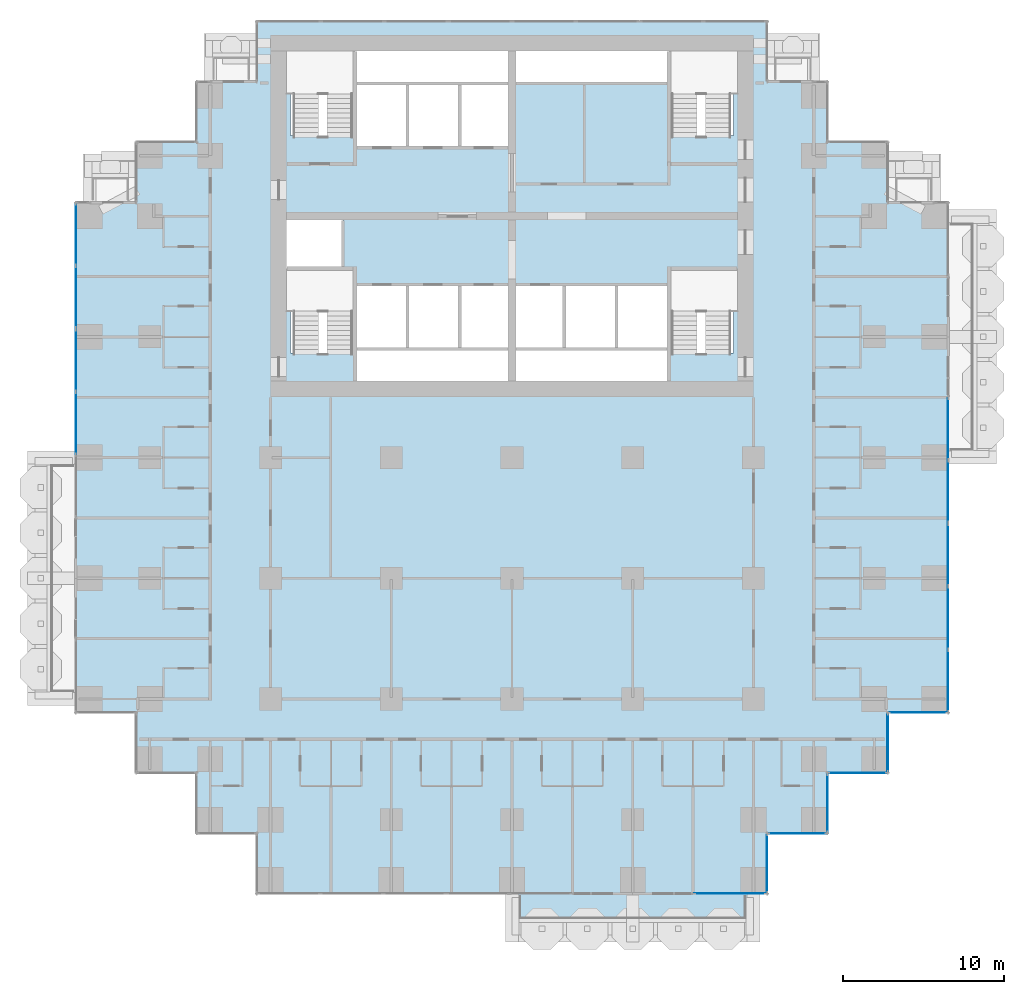
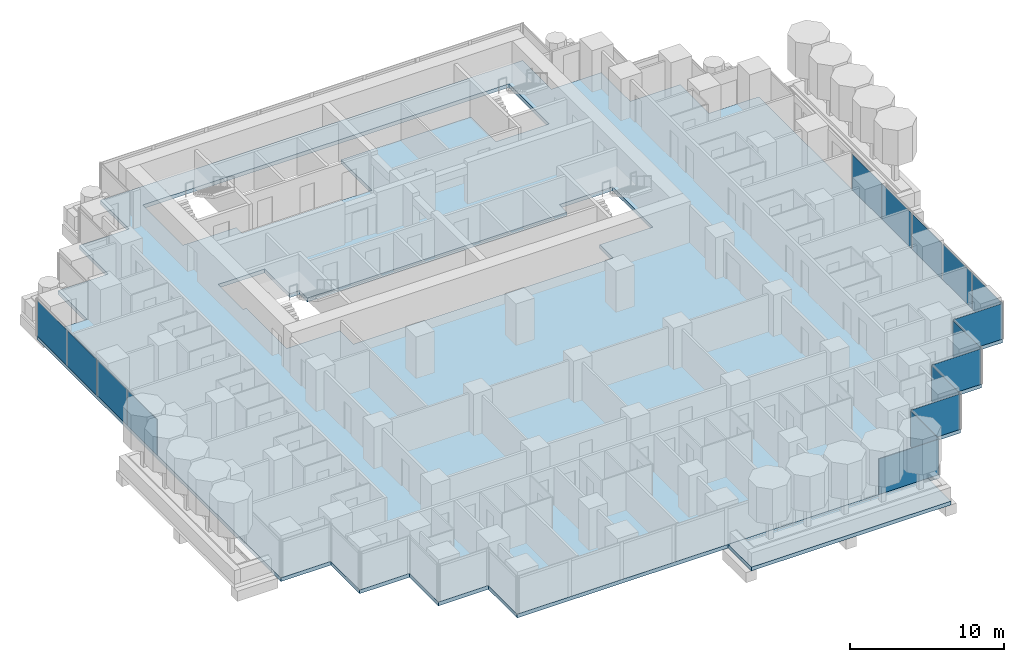
# One storey, part 7 of 19: 16 plates, 2 slabs, 11 elements without a shape of their own.
"""IFC4 building model written with IfcOpenShell, lengths in metres."""

from ifc_helpers import new_model, si_unit, direction, frame, origin, origin_2d, place, context, subcontext, project, spatial, polyline, rectangle, outline, extrude, material, layer, layer_set, type_object, element, aggregate, save


model = new_model("IFC4")

# Units and contexts
model_context = context("Model", 3, precision=1e-05, world=origin(), true_north=direction((0.0, 1.0)))
body_context = subcontext(model_context, "Body", "Model", "MODEL_VIEW")
ifc_project = project(units=[si_unit("LENGTHUNIT", "METRE"), si_unit("AREAUNIT", "SQUARE_METRE"), si_unit("VOLUMEUNIT", "CUBIC_METRE"), si_unit("PLANEANGLEUNIT", "RADIAN"), si_unit("MASSUNIT", "GRAM", prefix="KILO")], contexts=[model_context])

# Site, building, storey
site_placement = place(None, origin())
site = spatial("IfcSite", under=ifc_project, at=site_placement, CompositionType="ELEMENT")
building_placement = place(site_placement, origin())
building = spatial("IfcBuilding", under=site, at=building_placement, Name="Pilkhan Gate Tower", CompositionType="ELEMENT")
storey_placement = place(building_placement, frame((0.0, 0.0, 46.10009765625)))
storey = spatial("IfcBuildingStorey", under=building, at=storey_placement, Name="L08", CompositionType="ELEMENT", Elevation=46.10009765625)

# Slabs
ifc_material_1 = material(Name="Concrete C60/75", Category="concrete")
ifc_layer_1 = layer(ifc_material_1, 0.300048828125)
ifc_layer_set_1 = layer_set([ifc_layer_1], Name="Balcony tray slab TR300")
slab_type_1 = type_object("IfcSlabType", Name="Balcony tray slab TR300", PredefinedType="FLOOR", material=ifc_layer_set_1)
slab_1_placement = place(storey_placement, frame((0.0, 0.0, -0.300048828125)))
element("IfcSlab", 1, at=slab_1_placement, inside=storey, type_object=slab_type_1, Name="Balcony tray L08 S", PredefinedType="FLOOR", context=body_context, shape_type="SweptSolid", body=[
    extrude(outline(polyline([(90.0, 37.39990234375), (90.0, 40.39990234375), (75.0, 40.39990234375), (75.0, 37.39990234375), (90.0, 37.39990234375)])), origin(), (0.0, 0.0, 1.0), 0.300048828125),
])
ifc_material_2 = material(Name="Concrete C40/50", Category="concrete")
ifc_layer_2 = layer(ifc_material_2, 0.300048828125)
ifc_layer_set_2 = layer_set([ifc_layer_2], Name="Flat plate slab FP300")
slab_type_2 = type_object("IfcSlabType", Name="Flat plate slab FP300", PredefinedType="FLOOR", material=ifc_layer_set_2)
slab_2_placement = place(storey_placement, frame((0.0, 0.0, -0.300048828125)))
element("IfcSlab", 2, at=slab_2_placement, inside=storey, type_object=slab_type_2, Name="Floor slab L08", PredefinedType="FLOOR", context=body_context, shape_type="SweptSolid", body=[
    extrude(outline(polyline([(98.35009765625, 47.89990234375), (94.60009765625, 47.89990234375), (94.60009765625, 44.14990234375), (90.85009765625, 44.14990234375), (90.85009765625, 40.39990234375), (59.14990234375, 40.39990234375), (59.14990234375, 44.14990234375), (55.39990234375, 44.14990234375), (55.39990234375, 47.89990234375), (51.64990234375, 47.89990234375), (51.64990234375, 51.64990234375), (47.89990234375, 51.64990234375), (47.89990234375, 83.35009765625), (51.64990234375, 83.35009765625), (51.64990234375, 87.10009765625), (55.39990234375, 87.10009765625), (55.39990234375, 90.85009765625), (59.14990234375, 90.85009765625), (59.14990234375, 94.60009765625), (90.85009765625, 94.60009765625), (90.85009765625, 90.85009765625), (94.60009765625, 90.85009765625), (94.60009765625, 87.10009765625), (98.35009765625, 87.10009765625), (98.35009765625, 83.35009765625), (102.10009765625, 83.35009765625), (102.10009765625, 51.64990234375), (98.35009765625, 51.64990234375), (98.35009765625, 47.89990234375)]), holes=[polyline([(65.25, 87.5), (65.25, 86.75), (68.5, 86.75), (71.75, 86.75), (75.0, 86.75), (75.0, 90.75), (84.75, 90.75), (84.75, 87.5), (88.75, 87.5), (88.75, 92.75), (84.75, 92.75), (75.0, 92.75), (65.25, 92.75), (61.25, 92.75), (61.25, 87.5), (65.25, 87.5)]), polyline([(75.0, 72.25), (84.75, 72.25), (84.75, 74.0), (88.75, 74.0), (88.75, 79.25), (84.75, 79.25), (84.75, 78.25), (81.5, 78.25), (78.25, 78.25), (75.0, 78.25), (71.75, 78.25), (68.5, 78.25), (65.25, 78.25), (65.25, 79.25), (64.5, 79.25), (64.5, 82.5), (61.25, 82.5), (61.0, 82.5), (61.0, 79.25), (61.25, 79.25), (61.25, 74.0), (65.25, 74.0), (65.25, 72.25), (75.0, 72.25)])]), origin(), (0.0, 0.0, 1.0), 0.300048828125),
])

# Curtain wall, plates
ifc_material_3 = material(Name="Pale anodised aluminium, clear low-iron double glazing", Category="aluminium")
curtain_wall_type = type_object("IfcCurtainWallType", Name="Hotel unitised curtain wall CW-H", PredefinedType="USERDEFINED", material=ifc_material_3)
curtain_wall_1_placement = place(storey_placement, origin())
curtain_wall_1 = element("IfcCurtainWall", 3, at=curtain_wall_1_placement, inside=storey, type_object=curtain_wall_type, Name="Hotel unitised curtain wall CW-H L08 E", ObjectType="UNITISED CURTAIN WALL", PredefinedType="USERDEFINED")
ifc_material_4 = material(Name="Clear low-iron double glazing", Category="glass")
ifc_layer_3 = layer(ifc_material_4, 0.035888671875)
ifc_layer_set_3 = layer_set([ifc_layer_3], Name="Glass panel CW-H 36")
plate_type = type_object("IfcPlateType", Name="Glass panel CW-H 36", PredefinedType="CURTAIN_PANEL", material=ifc_layer_set_3)
plate_1_placement = place(storey_placement, frame((102.094970703125, 53.630859375, 0.0), z_axis=(0.0, 0.0, 1.0), x_axis=(0.0, 1.0, 0.0)))
plate_1 = element("IfcPlate", 4, at=plate_1_placement, type_object=plate_type, Name="CW-H panel 1", PredefinedType="CURTAIN_PANEL", context=body_context, shape_type="SweptSolid", body=[
    extrude(rectangle(XDim=3.821533203125, YDim=0.035888671875, at=origin_2d()), origin(), (0.0, 0.0, 1.0), 2.820068359375),
])
plate_2_placement = place(storey_placement, frame((102.094970703125, 57.533447265625, 0.0), z_axis=(0.0, 0.0, 1.0), x_axis=(0.0, 1.0, 0.0)))
plate_2 = element("IfcPlate", 5, at=plate_2_placement, type_object=plate_type, Name="CW-H panel 2", PredefinedType="CURTAIN_PANEL", context=body_context, shape_type="SweptSolid", body=[
    extrude(rectangle(XDim=3.85400390625, YDim=0.035888671875, at=origin_2d()), origin(), (0.0, 0.0, 1.0), 2.820068359375),
])
plate_3_placement = place(storey_placement, frame((102.094970703125, 61.436279296875, 0.0), z_axis=(0.0, 0.0, 1.0), x_axis=(0.0, 1.0, 0.0)))
plate_3 = element("IfcPlate", 6, at=plate_3_placement, type_object=plate_type, Name="CW-H panel 3", PredefinedType="CURTAIN_PANEL", context=body_context, shape_type="SweptSolid", body=[
    extrude(rectangle(XDim=3.821533203125, YDim=0.035888671875, at=origin_2d()), origin(), (0.0, 0.0, 1.0), 2.820068359375),
])
aggregate(curtain_wall_1, [plate_1, plate_2, plate_3])

curtain_wall_2_placement = place(storey_placement, origin())
curtain_wall_2 = element("IfcCurtainWall", 7, at=curtain_wall_2_placement, inside=storey, type_object=curtain_wall_type, Name="Hotel unitised curtain wall CW-H L08 E", ObjectType="UNITISED CURTAIN WALL", PredefinedType="USERDEFINED")
plate_4_placement = place(storey_placement, frame((102.094970703125, 65.3876953125, 0.0), z_axis=(0.0, 0.0, 1.0), x_axis=(0.0, 1.0, 0.0)))
plate_4 = element("IfcPlate", 8, at=plate_4_placement, type_object=plate_type, Name="CW-H panel 1", PredefinedType="CURTAIN_PANEL", context=body_context, shape_type="SweptSolid", body=[
    extrude(rectangle(XDim=3.821533203125, YDim=0.035888671875, at=origin_2d()), origin(), (0.0, 0.0, 1.0), 2.820068359375),
])
plate_5_placement = place(storey_placement, frame((102.094970703125, 69.274169921875, 0.0), z_axis=(0.0, 0.0, 1.0), x_axis=(0.0, 1.0, 0.0)))
plate_5 = element("IfcPlate", 9, at=plate_5_placement, type_object=plate_type, Name="CW-H panel 2", PredefinedType="CURTAIN_PANEL", context=body_context, shape_type="SweptSolid", body=[
    extrude(rectangle(XDim=3.821533203125, YDim=0.035888671875, at=origin_2d()), origin(), (0.0, 0.0, 1.0), 2.820068359375),
])
aggregate(curtain_wall_2, [plate_4, plate_5])

curtain_wall_3_placement = place(storey_placement, origin())
curtain_wall_3 = element("IfcCurtainWall", 10, at=curtain_wall_3_placement, inside=storey, type_object=curtain_wall_type, Name="Hotel unitised curtain wall CW-H L08 W", ObjectType="UNITISED CURTAIN WALL", PredefinedType="USERDEFINED")
plate_6_placement = place(storey_placement, frame((47.905029296875, 69.62841796875, 0.0), z_axis=(0.0, 0.0, 1.0), x_axis=(0.0, 1.0, 0.0)))
plate_6 = element("IfcPlate", 11, at=plate_6_placement, type_object=plate_type, Name="CW-H panel 2", PredefinedType="CURTAIN_PANEL", context=body_context, shape_type="SweptSolid", body=[
    extrude(rectangle(XDim=3.85400390625, YDim=0.035888671875, at=origin_2d()), origin(), (0.0, 0.0, 1.0), 2.820068359375),
])
plate_7_placement = place(storey_placement, frame((47.905029296875, 73.53125, 0.0), z_axis=(0.0, 0.0, 1.0), x_axis=(0.0, 1.0, 0.0)))
plate_7 = element("IfcPlate", 12, at=plate_7_placement, type_object=plate_type, Name="CW-H panel 3", PredefinedType="CURTAIN_PANEL", context=body_context, shape_type="SweptSolid", body=[
    extrude(rectangle(XDim=3.821533203125, YDim=0.035888671875, at=origin_2d()), origin(), (0.0, 0.0, 1.0), 2.820068359375),
])
aggregate(curtain_wall_3, [plate_6, plate_7])

curtain_wall_4_placement = place(storey_placement, origin())
curtain_wall_4 = element("IfcCurtainWall", 13, at=curtain_wall_4_placement, inside=storey, type_object=curtain_wall_type, Name="Hotel unitised curtain wall CW-H L08 W", ObjectType="UNITISED CURTAIN WALL", PredefinedType="USERDEFINED")
plate_8_placement = place(storey_placement, frame((47.905029296875, 77.482666015625, 0.0), z_axis=(0.0, 0.0, 1.0), x_axis=(0.0, 1.0, 0.0)))
plate_8 = element("IfcPlate", 14, at=plate_8_placement, type_object=plate_type, Name="CW-H panel 1", PredefinedType="CURTAIN_PANEL", context=body_context, shape_type="SweptSolid", body=[
    extrude(rectangle(XDim=3.821533203125, YDim=0.035888671875, at=origin_2d()), origin(), (0.0, 0.0, 1.0), 2.820068359375),
])
plate_9_placement = place(storey_placement, frame((47.905029296875, 81.369140625, 0.0), z_axis=(0.0, 0.0, 1.0), x_axis=(0.0, 1.0, 0.0)))
plate_9 = element("IfcPlate", 15, at=plate_9_placement, type_object=plate_type, Name="CW-H panel 2", PredefinedType="CURTAIN_PANEL", context=body_context, shape_type="SweptSolid", body=[
    extrude(rectangle(XDim=3.821533203125, YDim=0.035888671875, at=origin_2d()), origin(), (0.0, 0.0, 1.0), 2.820068359375),
])
aggregate(curtain_wall_4, [plate_8, plate_9])

# Curtain wall, plate
curtain_wall_5_placement = place(storey_placement, origin())
curtain_wall_5 = element("IfcCurtainWall", 16, at=curtain_wall_5_placement, inside=storey, type_object=curtain_wall_type, Name="Hotel unitised curtain wall CW-H L08 S", ObjectType="UNITISED CURTAIN WALL", PredefinedType="USERDEFINED")
plate_10_placement = place(storey_placement, frame((88.547607421875, 40.405029296875, 0.0), z_axis=(0.0, 0.0, 1.0), x_axis=(1.0, 0.0, 0.0)))
plate_10 = element("IfcPlate", 17, at=plate_10_placement, type_object=plate_type, Name="CW-H panel 1", PredefinedType="CURTAIN_PANEL", context=body_context, shape_type="SweptSolid", body=[
    extrude(rectangle(XDim=4.465087890625, YDim=0.035888671875, at=origin_2d()), origin(), (0.0, 0.0, 1.0), 2.820068359375),
])
aggregate(curtain_wall_5, [plate_10])

curtain_wall_6_placement = place(storey_placement, origin())
curtain_wall_6 = element("IfcCurtainWall", 18, at=curtain_wall_6_placement, inside=storey, type_object=curtain_wall_type, Name="Hotel unitised curtain wall CW-H L08 E", ObjectType="UNITISED CURTAIN WALL", PredefinedType="USERDEFINED")
plate_11_placement = place(storey_placement, frame((90.844970703125, 42.280029296875, 0.0), z_axis=(0.0, 0.0, 1.0), x_axis=(0.0, 1.0, 0.0)))
plate_11 = element("IfcPlate", 19, at=plate_11_placement, type_object=plate_type, Name="CW-H panel 1", PredefinedType="CURTAIN_PANEL", context=body_context, shape_type="SweptSolid", body=[
    extrude(rectangle(XDim=3.6201171875, YDim=0.035888671875, at=origin_2d()), origin(), (0.0, 0.0, 1.0), 2.820068359375),
])
aggregate(curtain_wall_6, [plate_11])

curtain_wall_7_placement = place(storey_placement, origin())
curtain_wall_7 = element("IfcCurtainWall", 20, at=curtain_wall_7_placement, inside=storey, type_object=curtain_wall_type, Name="Hotel unitised curtain wall CW-H L08 S", ObjectType="UNITISED CURTAIN WALL", PredefinedType="USERDEFINED")
plate_12_placement = place(storey_placement, frame((92.719970703125, 44.155029296875, 0.0), z_axis=(0.0, 0.0, 1.0), x_axis=(1.0, 0.0, 0.0)))
plate_12 = element("IfcPlate", 21, at=plate_12_placement, type_object=plate_type, Name="CW-H panel 1", PredefinedType="CURTAIN_PANEL", context=body_context, shape_type="SweptSolid", body=[
    extrude(rectangle(XDim=3.6201171875, YDim=0.035888671875, at=origin_2d()), origin(), (0.0, 0.0, 1.0), 2.820068359375),
])
aggregate(curtain_wall_7, [plate_12])

curtain_wall_8_placement = place(storey_placement, origin())
curtain_wall_8 = element("IfcCurtainWall", 22, at=curtain_wall_8_placement, inside=storey, type_object=curtain_wall_type, Name="Hotel unitised curtain wall CW-H L08 E", ObjectType="UNITISED CURTAIN WALL", PredefinedType="USERDEFINED")
plate_13_placement = place(storey_placement, frame((94.594970703125, 46.030029296875, 0.0), z_axis=(0.0, 0.0, 1.0), x_axis=(0.0, 1.0, 0.0)))
plate_13 = element("IfcPlate", 23, at=plate_13_placement, type_object=plate_type, Name="CW-H panel 1", PredefinedType="CURTAIN_PANEL", context=body_context, shape_type="SweptSolid", body=[
    extrude(rectangle(XDim=3.6201171875, YDim=0.035888671875, at=origin_2d()), origin(), (0.0, 0.0, 1.0), 2.820068359375),
])
aggregate(curtain_wall_8, [plate_13])

curtain_wall_9_placement = place(storey_placement, origin())
curtain_wall_9 = element("IfcCurtainWall", 24, at=curtain_wall_9_placement, inside=storey, type_object=curtain_wall_type, Name="Hotel unitised curtain wall CW-H L08 S", ObjectType="UNITISED CURTAIN WALL", PredefinedType="USERDEFINED")
plate_14_placement = place(storey_placement, frame((96.469970703125, 47.905029296875, 0.0), z_axis=(0.0, 0.0, 1.0), x_axis=(1.0, 0.0, 0.0)))
plate_14 = element("IfcPlate", 25, at=plate_14_placement, type_object=plate_type, Name="CW-H panel 1", PredefinedType="CURTAIN_PANEL", context=body_context, shape_type="SweptSolid", body=[
    extrude(rectangle(XDim=3.6201171875, YDim=0.035888671875, at=origin_2d()), origin(), (0.0, 0.0, 1.0), 2.820068359375),
])
aggregate(curtain_wall_9, [plate_14])

curtain_wall_10_placement = place(storey_placement, origin())
curtain_wall_10 = element("IfcCurtainWall", 26, at=curtain_wall_10_placement, inside=storey, type_object=curtain_wall_type, Name="Hotel unitised curtain wall CW-H L08 E", ObjectType="UNITISED CURTAIN WALL", PredefinedType="USERDEFINED")
plate_15_placement = place(storey_placement, frame((98.344970703125, 49.780029296875, 0.0), z_axis=(0.0, 0.0, 1.0), x_axis=(0.0, 1.0, 0.0)))
plate_15 = element("IfcPlate", 27, at=plate_15_placement, type_object=plate_type, Name="CW-H panel 1", PredefinedType="CURTAIN_PANEL", context=body_context, shape_type="SweptSolid", body=[
    extrude(rectangle(XDim=3.6201171875, YDim=0.035888671875, at=origin_2d()), origin(), (0.0, 0.0, 1.0), 2.820068359375),
])
aggregate(curtain_wall_10, [plate_15])

curtain_wall_11_placement = place(storey_placement, origin())
curtain_wall_11 = element("IfcCurtainWall", 28, at=curtain_wall_11_placement, inside=storey, type_object=curtain_wall_type, Name="Hotel unitised curtain wall CW-H L08 S", ObjectType="UNITISED CURTAIN WALL", PredefinedType="USERDEFINED")
plate_16_placement = place(storey_placement, frame((100.219970703125, 51.655029296875, 0.0), z_axis=(0.0, 0.0, 1.0), x_axis=(1.0, 0.0, 0.0)))
plate_16 = element("IfcPlate", 29, at=plate_16_placement, type_object=plate_type, Name="CW-H panel 1", PredefinedType="CURTAIN_PANEL", context=body_context, shape_type="SweptSolid", body=[
    extrude(rectangle(XDim=3.6201171875, YDim=0.035888671875, at=origin_2d()), origin(), (0.0, 0.0, 1.0), 2.820068359375),
])
aggregate(curtain_wall_11, [plate_16])

save(model, "model.ifc")
